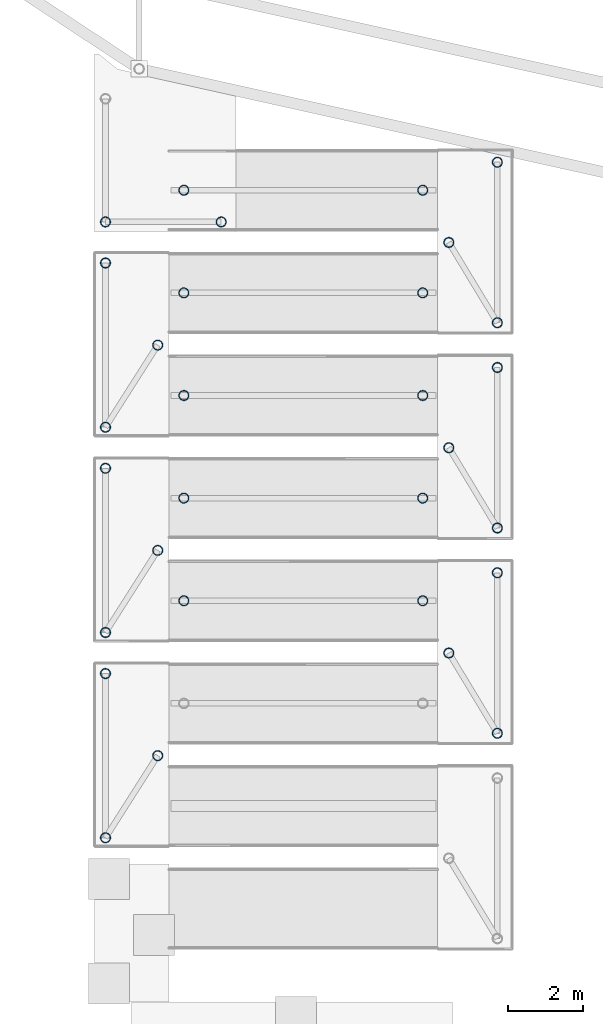
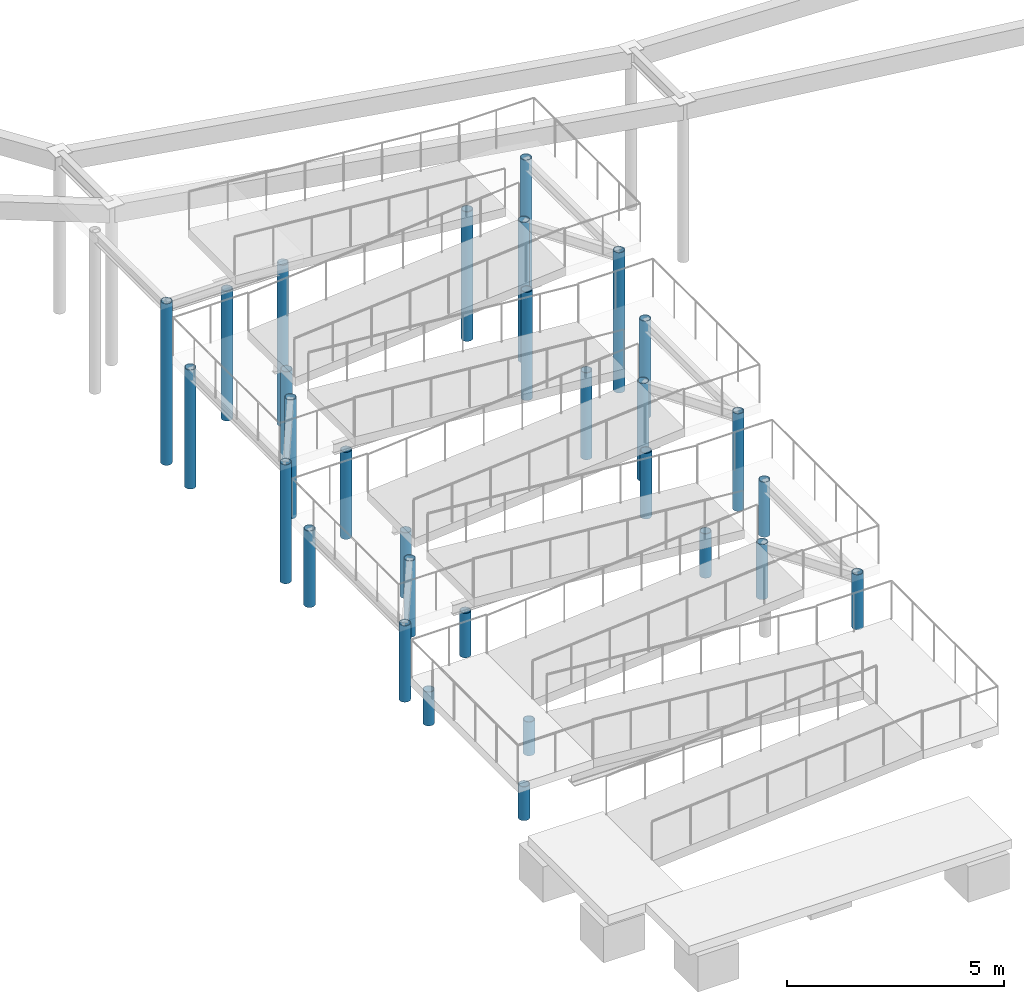
# One storey, part 7 of 108: 30 columns.
"""IFC4 building model written with IfcOpenShell, lengths in metres."""

from ifc_helpers import new_model, si_unit, direction, frame, origin, origin_2d, place, context, subcontext, project, spatial, hollow_circle, extrude, material, material_profile, profile_set, type_object, element, save


model = new_model("IFC4")

# Units and contexts
model_context = context("Model", 3, precision=1e-05, world=origin(), true_north=direction((0.0, 1.0)))
body_context = subcontext(model_context, "Body", "Model", "MODEL_VIEW")
ifc_project = project(units=[si_unit("LENGTHUNIT", "METRE"), si_unit("AREAUNIT", "SQUARE_METRE"), si_unit("VOLUMEUNIT", "CUBIC_METRE"), si_unit("PLANEANGLEUNIT", "RADIAN"), si_unit("MASSUNIT", "GRAM", prefix="KILO")], contexts=[model_context])

# Site, building, storey
site_placement = place(None, origin())
site = spatial("IfcSite", under=ifc_project, at=site_placement, CompositionType="ELEMENT")
building_placement = place(site_placement, origin())
building = spatial("IfcBuilding", under=site, at=building_placement, Name="Tarnveldt Headland Concert Hall", CompositionType="ELEMENT")
storey_placement = place(building_placement, origin())
storey = spatial("IfcBuildingStorey", under=building, at=storey_placement, Name="L00", CompositionType="ELEMENT", Elevation=0.0)

# Columns
ifc_material = material(Name="Steel S355", Category="steel")
ifc_material_profile = material_profile(ifc_material, hollow_circle(Radius=0.136474609375, WallThickness=0.01611328125, at=origin_2d()), Name="CHS 273x16", Category="steel")
ifc_profile_set = profile_set([ifc_material_profile], Name="Steel S355")
column_type = type_object("IfcColumnType", Name="SC-CHS273", PredefinedType="COLUMN", material=ifc_profile_set)
for number, where, z_axis, x_axis, name in (
    (1, (124.10009765625, 18.39990234375, 0.0), (0.0, 0.0, 1.0), (1.0, 0.0, 0.0), "Ramp landing pier W1S"),
    (2, (124.10009765625, 22.800048828125, 0.0), (0.0, 0.0, 1.0), (1.0, 0.0, 0.0), "Ramp landing pier W1N"),
    (3, (125.5, 20.60009765625, 0.0), (0.0, 0.0, 1.0), (1.0, 0.0, 0.0), "Ramp landing pier W1M"),
):
    element("IfcColumn", number, at=place(storey_placement, frame(where, z_axis=z_axis, x_axis=x_axis)), inside=storey, type_object=column_type, Name=name, PredefinedType="COLUMN", context=body_context, shape_type="SweptSolid", body=[
        extrude(hollow_circle(Radius=0.136474609375, WallThickness=0.01611328125, at=origin_2d()), origin(), (0.0, 0.0, 1.0), 0.949951171875),
    ])
for number, where, z_axis, x_axis, name in (
    (4, (134.60009765625, 21.199951171875, 0.0), (0.0, 0.0, 1.0), (1.0, 0.0, 0.0), "Ramp landing pier E2S"),
    (5, (134.60009765625, 25.5, 0.0), (0.0, 0.0, 1.0), (1.0, 0.0, 0.0), "Ramp landing pier E2N"),
    (6, (133.300048828125, 23.35009765625, 0.0), (0.0, 0.0, 1.0), (1.0, 0.0, 0.0), "Ramp landing pier E2M"),
):
    element("IfcColumn", number, at=place(storey_placement, frame(where, z_axis=z_axis, x_axis=x_axis)), inside=storey, type_object=column_type, Name=name, PredefinedType="COLUMN", context=body_context, shape_type="SweptSolid", body=[
        extrude(hollow_circle(Radius=0.136474609375, WallThickness=0.01611328125, at=origin_2d()), origin(), (0.0, 0.0, 1.0), 1.550048828125),
    ])
for number, where, z_axis, x_axis, name in (
    (7, (124.10009765625, 23.89990234375, 0.0), (0.0, 0.0, 1.0), (1.0, 0.0, 0.0), "Ramp landing pier W2S"),
    (8, (124.10009765625, 28.300048828125, 0.0), (0.0, 0.0, 1.0), (1.0, 0.0, 0.0), "Ramp landing pier W2N"),
    (9, (125.5, 26.10009765625, 0.0), (0.0, 0.0, 1.0), (1.0, 0.0, 0.0), "Ramp landing pier W2M"),
):
    element("IfcColumn", number, at=place(storey_placement, frame(where, z_axis=z_axis, x_axis=x_axis)), inside=storey, type_object=column_type, Name=name, PredefinedType="COLUMN", context=body_context, shape_type="SweptSolid", body=[
        extrude(hollow_circle(Radius=0.136474609375, WallThickness=0.01611328125, at=origin_2d()), origin(), (0.0, 0.0, 1.0), 2.14990234375),
    ])
for number, where, z_axis, x_axis, name in (
    (10, (134.60009765625, 26.699951171875, 0.0), (0.0, 0.0, 1.0), (1.0, 0.0, 0.0), "Ramp landing pier E3S"),
    (11, (134.60009765625, 31.0, 0.0), (0.0, 0.0, 1.0), (1.0, 0.0, 0.0), "Ramp landing pier E3N"),
    (12, (133.300048828125, 28.85009765625, 0.0), (0.0, 0.0, 1.0), (1.0, 0.0, 0.0), "Ramp landing pier E3M"),
):
    element("IfcColumn", number, at=place(storey_placement, frame(where, z_axis=z_axis, x_axis=x_axis)), inside=storey, type_object=column_type, Name=name, PredefinedType="COLUMN", context=body_context, shape_type="SweptSolid", body=[
        extrude(hollow_circle(Radius=0.136474609375, WallThickness=0.01611328125, at=origin_2d()), origin(), (0.0, 0.0, 1.0), 2.75),
    ])
for number, where, z_axis, x_axis, name in (
    (13, (124.10009765625, 29.39990234375, 0.0), (0.0, 0.0, 1.0), (1.0, 0.0, 0.0), "Ramp landing pier W3S"),
    (14, (124.10009765625, 33.800048828125, 0.0), (0.0, 0.0, 1.0), (1.0, 0.0, 0.0), "Ramp landing pier W3N"),
    (15, (125.5, 31.60009765625, 0.0), (0.0, 0.0, 1.0), (1.0, 0.0, 0.0), "Ramp landing pier W3M"),
):
    element("IfcColumn", number, at=place(storey_placement, frame(where, z_axis=z_axis, x_axis=x_axis)), inside=storey, type_object=column_type, Name=name, PredefinedType="COLUMN", context=body_context, shape_type="SweptSolid", body=[
        extrude(hollow_circle(Radius=0.136474609375, WallThickness=0.01611328125, at=origin_2d()), origin(), (0.0, 0.0, 1.0), 3.35009765625),
    ])
for number, where, z_axis, x_axis, name in (
    (16, (134.60009765625, 32.199951171875, 0.0), (0.0, 0.0, 1.0), (1.0, 0.0, 0.0), "Ramp landing pier E4S"),
    (17, (134.60009765625, 36.5, 0.0), (0.0, 0.0, 1.0), (1.0, 0.0, 0.0), "Ramp landing pier E4N"),
    (18, (133.300048828125, 34.35009765625, 0.0), (0.0, 0.0, 1.0), (1.0, 0.0, 0.0), "Ramp landing pier E4M"),
):
    element("IfcColumn", number, at=place(storey_placement, frame(where, z_axis=z_axis, x_axis=x_axis)), inside=storey, type_object=column_type, Name=name, PredefinedType="COLUMN", context=body_context, shape_type="SweptSolid", body=[
        extrude(hollow_circle(Radius=0.136474609375, WallThickness=0.01611328125, at=origin_2d()), origin(), (0.0, 0.0, 1.0), 3.949951171875),
    ])
for number, where, z_axis, x_axis, name in (
    (19, (124.10009765625, 34.89990234375, 0.0), (0.0, 0.0, 1.0), (1.0, 0.0, 0.0), "Ramp landing pier W4S"),
    (20, (127.199951171875, 34.89990234375, 0.0), (0.0, 0.0, 1.0), (1.0, 0.0, 0.0), "Ramp landing pier W4E"),
):
    element("IfcColumn", number, at=place(storey_placement, frame(where, z_axis=z_axis, x_axis=x_axis)), inside=storey, type_object=column_type, Name=name, PredefinedType="COLUMN", context=body_context, shape_type="SweptSolid", body=[
        extrude(hollow_circle(Radius=0.136474609375, WallThickness=0.01611328125, at=origin_2d()), origin(), (0.0, 0.0, 1.0), 4.550048828125),
    ])
for number, where, z_axis, x_axis, name in (
    (21, (126.199951171875, 24.75, 0.0), (0.0, 0.0, 1.0), (1.0, 0.0, 0.0), "Ramp flight 4 support pier W"),
    (22, (132.60009765625, 24.75, 0.0), (0.0, 0.0, 1.0), (1.0, 0.0, 0.0), "Ramp flight 4 support pier E"),
):
    element("IfcColumn", number, at=place(storey_placement, frame(where, z_axis=z_axis, x_axis=x_axis)), inside=storey, type_object=column_type, Name=name, PredefinedType="COLUMN", context=body_context, shape_type="SweptSolid", body=[
        extrude(hollow_circle(Radius=0.136474609375, WallThickness=0.01611328125, at=origin_2d()), origin(), (0.0, 0.0, 1.0), 1.25),
    ])
for number, where, z_axis, x_axis, name in (
    (23, (126.199951171875, 27.5, 0.0), (0.0, 0.0, 1.0), (1.0, 0.0, 0.0), "Ramp flight 5 support pier W"),
    (24, (132.60009765625, 27.5, 0.0), (0.0, 0.0, 1.0), (1.0, 0.0, 0.0), "Ramp flight 5 support pier E"),
):
    element("IfcColumn", number, at=place(storey_placement, frame(where, z_axis=z_axis, x_axis=x_axis)), inside=storey, type_object=column_type, Name=name, PredefinedType="COLUMN", context=body_context, shape_type="SweptSolid", body=[
        extrude(hollow_circle(Radius=0.136474609375, WallThickness=0.01611328125, at=origin_2d()), origin(), (0.0, 0.0, 1.0), 1.85009765625),
    ])
for number, where, z_axis, x_axis, name in (
    (25, (126.199951171875, 30.25, 0.0), (0.0, 0.0, 1.0), (1.0, 0.0, 0.0), "Ramp flight 6 support pier W"),
    (26, (132.60009765625, 30.25, 0.0), (0.0, 0.0, 1.0), (1.0, 0.0, 0.0), "Ramp flight 6 support pier E"),
):
    element("IfcColumn", number, at=place(storey_placement, frame(where, z_axis=z_axis, x_axis=x_axis)), inside=storey, type_object=column_type, Name=name, PredefinedType="COLUMN", context=body_context, shape_type="SweptSolid", body=[
        extrude(hollow_circle(Radius=0.136474609375, WallThickness=0.01611328125, at=origin_2d()), origin(), (0.0, 0.0, 1.0), 2.449951171875),
    ])
for number, where, z_axis, x_axis, name in (
    (27, (126.199951171875, 33.0, 0.0), (0.0, 0.0, 1.0), (1.0, 0.0, 0.0), "Ramp flight 7 support pier W"),
    (28, (132.60009765625, 33.0, 0.0), (0.0, 0.0, 1.0), (1.0, 0.0, 0.0), "Ramp flight 7 support pier E"),
):
    element("IfcColumn", number, at=place(storey_placement, frame(where, z_axis=z_axis, x_axis=x_axis)), inside=storey, type_object=column_type, Name=name, PredefinedType="COLUMN", context=body_context, shape_type="SweptSolid", body=[
        extrude(hollow_circle(Radius=0.136474609375, WallThickness=0.01611328125, at=origin_2d()), origin(), (0.0, 0.0, 1.0), 3.050048828125),
    ])
for number, where, z_axis, x_axis, name in (
    (29, (126.199951171875, 35.75, 0.0), (0.0, 0.0, 1.0), (1.0, 0.0, 0.0), "Ramp flight 8 support pier W"),
    (30, (132.60009765625, 35.75, 0.0), (0.0, 0.0, 1.0), (1.0, 0.0, 0.0), "Ramp flight 8 support pier E"),
):
    element("IfcColumn", number, at=place(storey_placement, frame(where, z_axis=z_axis, x_axis=x_axis)), inside=storey, type_object=column_type, Name=name, PredefinedType="COLUMN", context=body_context, shape_type="SweptSolid", body=[
        extrude(hollow_circle(Radius=0.136474609375, WallThickness=0.01611328125, at=origin_2d()), origin(), (0.0, 0.0, 1.0), 3.64990234375),
    ])

save(model, "model.ifc")
